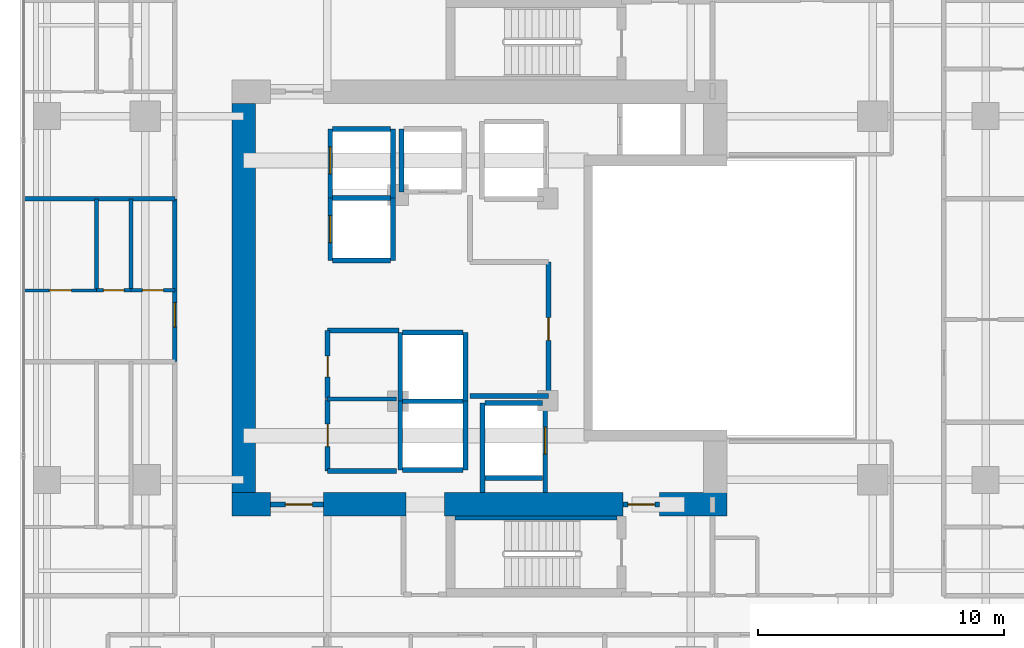
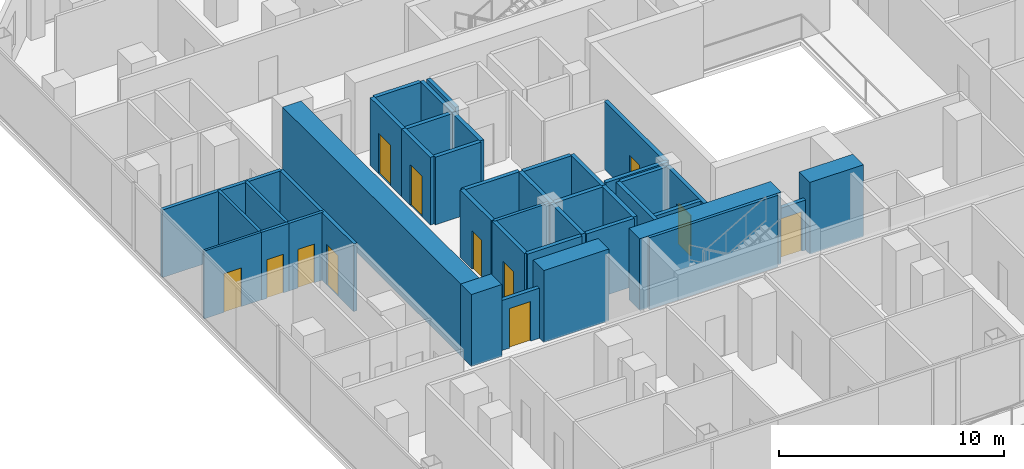
# One storey, part 22 of 29: 41 walls, 12 doors, 12 openings.
"""IFC4 building model written with IfcOpenShell, lengths in metres."""

import ifcopenshell
import ifcopenshell.guid

model = None  # the IFC model being written
_history = None  # IfcOwnerHistory: only IFC2X3 demands one
_inside = {}  # id of a spatial element -> (the spatial element, [elements in it])
_under = {}  # id of a project, library or spatial element -> (it, [spatial elements below it])
_declared = {}  # id of a project -> (the project, [libraries it declares])
_typed = {}  # id of a type object -> (the type object, [elements of that type])
_made_of = {}  # id of a material, layer set ... -> (it, [elements and type objects made of it])


def new_model(schema):
    """Start an empty IFC model of exactly this schema.

    Asked for "IFC4X3", IfcOpenShell would pick the latest addendum, in which some entities
    have other attributes; the version numbers below select the first issue.
    IFC2X3 requires an IfcOwnerHistory on every rooted entity: one is made here for all.
    """
    global model, _history
    if schema == "IFC4X3":
        model = ifcopenshell.file(schema_version=(4, 3, 0, 0))
    else:
        model = ifcopenshell.file(schema=schema)
    _inside.clear()
    _under.clear()
    _declared.clear()
    _typed.clear()
    _made_of.clear()
    _history = None
    if model.schema == "IFC2X3":
        org = make("IfcOrganization", Name="unknown")
        user = make(
            "IfcPersonAndOrganization",
            ThePerson=make("IfcPerson", FamilyName="unknown"),
            TheOrganization=org,
        )
        app = make(
            "IfcApplication",
            ApplicationDeveloper=org,
            Version="unknown",
            ApplicationFullName="unknown",
            ApplicationIdentifier="unknown",
        )
        _history = make(
            "IfcOwnerHistory",
            OwningUser=user,
            OwningApplication=app,
            ChangeAction="ADDED",
            CreationDate=0,
        )
    return model


def make(cls, **values):
    """One entity of the class cls with the attributes given. An attribute that is None is left unset."""
    return model.create_entity(
        cls, **{name: value for name, value in values.items() if value is not None}
    )


def rooted(cls, **values):
    """An entity with a GlobalId (a new one), such as an element, a storey or a relation."""
    return make(cls, GlobalId=ifcopenshell.guid.new(), OwnerHistory=_history, **values)


def si_unit(unit_type, name, prefix=None):
    """IfcSIUnit, for example si_unit("LENGTHUNIT", "METRE", prefix="MILLI")."""
    return make("IfcSIUnit", UnitType=unit_type, Prefix=prefix, Name=name)


def assignment(units):
    """IfcUnitAssignment: the units of a project."""
    return None if units is None else make("IfcUnitAssignment", Units=units)


def point(xyz):
    """IfcCartesianPoint."""
    return None if xyz is None else make("IfcCartesianPoint", Coordinates=xyz)


def direction(xyz):
    """IfcDirection."""
    return None if xyz is None else make("IfcDirection", DirectionRatios=xyz)


def frame(location, z_axis=None, x_axis=None):
    """IfcAxis2Placement3D, a coordinate frame: its origin and axes. An axis left out is left unset."""
    return make(
        "IfcAxis2Placement3D",
        Location=point(location),
        Axis=direction(z_axis),
        RefDirection=direction(x_axis),
    )


def frame_2d(location, x_axis=None):
    """IfcAxis2Placement2D, a coordinate frame in the plane: its origin and x axis."""
    return make(
        "IfcAxis2Placement2D", Location=point(location), RefDirection=direction(x_axis)
    )


def origin():
    """The frame at (0, 0, 0) with its axes left unset."""
    return frame((0.0, 0.0, 0.0))


def place(relative_to, where):
    """IfcLocalPlacement: puts the frame where relative to a parent placement (None: the world)."""
    return make(
        "IfcLocalPlacement", PlacementRelTo=relative_to, RelativePlacement=where
    )


def context(
    kind, dimensions, precision=None, world=None, true_north=None, identifier=None
):
    """IfcGeometricRepresentationContext, for example the 3D "Model" context."""
    return make(
        "IfcGeometricRepresentationContext",
        ContextIdentifier=identifier,
        ContextType=kind,
        CoordinateSpaceDimension=dimensions,
        Precision=precision,
        WorldCoordinateSystem=world,
        TrueNorth=true_north,
    )


def subcontext(parent, identifier, kind, view, scale=None):
    """IfcGeometricRepresentationSubContext, for example "Body" below "Model"."""
    return make(
        "IfcGeometricRepresentationSubContext",
        ContextIdentifier=identifier,
        ContextType=kind,
        ParentContext=parent,
        TargetScale=scale,
        TargetView=view,
    )


def project(units=None, contexts=None):
    """IfcProject with its units and contexts."""
    return rooted(
        "IfcProject",
        Name="project",
        RepresentationContexts=contexts,
        UnitsInContext=assignment(units),
    )


def spatial(cls, under=None, at=None, **own):
    """A site, building, storey or space (cls), placed at a placement, below another one or the project."""
    s = rooted(cls, ObjectPlacement=at, **own)
    if under is not None:
        _under.setdefault(under.id(), (under, []))[1].append(s)
    return s


def profile(cls, at=None, kind="AREA", **sizes):
    """A parametric profile (cls). Its sizes go by their IFC names, for example OverallWidth=200.0."""
    return make(cls, ProfileType=kind, Position=at, **sizes)


def rectangle(**sizes):
    """IfcRectangleProfileDef."""
    return profile("IfcRectangleProfileDef", **sizes)


def extrude(swept, where, along, depth):
    """IfcExtrudedAreaSolid: the profile swept, set in the frame where, extruded along a direction by depth."""
    return make(
        "IfcExtrudedAreaSolid",
        SweptArea=swept,
        Position=where,
        ExtrudedDirection=direction(along),
        Depth=depth,
    )


def shape(context_of_items, identifier, shape_type, items):
    """IfcShapeRepresentation: the items that make up one representation, for example the "Body"."""
    return make(
        "IfcShapeRepresentation",
        ContextOfItems=context_of_items,
        RepresentationIdentifier=identifier,
        RepresentationType=shape_type,
        Items=items,
    )


def material(Name=None, Category=None):
    """IfcMaterial."""
    return make("IfcMaterial", Name=Name, Category=Category)


def layer(
    of_material, thickness, ventilated=None, Name=None, Category=None, Priority=None
):
    """IfcMaterialLayer: one layer of a wall or slab, of a material (None: an air gap)."""
    return make(
        "IfcMaterialLayer",
        Material=of_material,
        LayerThickness=thickness,
        IsVentilated=ventilated,
        Name=Name,
        Category=Category,
        Priority=Priority,
    )


def layer_set(layers, Name=None):
    """IfcMaterialLayerSet."""
    return make("IfcMaterialLayerSet", MaterialLayers=layers, LayerSetName=Name)


def made_of(thing, what):
    """Note that an element or type object is made of a material, layer set ...; save() writes the relation."""
    if what is not None:
        _made_of.setdefault(what.id(), (what, []))[1].append(thing)
    return thing


def type_object(cls, material=None, **own):
    """A type object (cls), such as IfcWallType, which elements share."""
    return made_of(rooted(cls, **own), material)


def element(
    cls,
    number,
    at=None,
    inside=None,
    cuts=None,
    type_object=None,
    material=None,
    context=None,
    identifier="Body",
    shape_type=None,
    held_by="IfcProductDefinitionShape",
    body=None,
    shapes=None,
    **own,
):
    """One element of the class cls, such as IfcWall. Its Tag is "e" and its number.

    at: its placement. inside: the storey or other place that contains it. cuts: it is an
    opening in that element (IfcRelVoidsElement). A single representation is given by context,
    identifier, shape_type and body (its items); several are given by shapes. held_by: the class
    of the entity that holds the representations. save() writes the other relations.
    """
    e = rooted(cls, Tag="e%d" % number, ObjectPlacement=at, **own)
    if body is not None:
        shapes = [shape(context, identifier, shape_type, body)]
    if shapes is not None:
        e.Representation = make(held_by, Representations=shapes)
    if inside is not None:
        _inside.setdefault(inside.id(), (inside, []))[1].append(e)
    if cuts is not None:
        rooted(
            "IfcRelVoidsElement", RelatingBuildingElement=cuts, RelatedOpeningElement=e
        )
    if type_object is not None:
        _typed.setdefault(type_object.id(), (type_object, []))[1].append(e)
    return made_of(e, material)


def fill(opening, filler):
    """IfcRelFillsElement: the door or window that sits in an opening."""
    return rooted(
        "IfcRelFillsElement",
        RelatingOpeningElement=opening,
        RelatedBuildingElement=filler,
    )


def aggregate(whole, parts):
    """IfcRelAggregates: a whole, such as a stair, and the parts it consists of."""
    return rooted("IfcRelAggregates", RelatingObject=whole, RelatedObjects=parts)


def save(model, path):
    """Write the relations noted so far, then the file.

    IfcRelAggregates (storeys below a building ...), IfcRelContainedInSpatialStructure (elements
    in a storey), IfcRelDefinesByType, IfcRelAssociatesMaterial and IfcRelDeclares: one each for
    every whole, place, type object, material and project.
    """
    for whole, parts in _under.values():
        aggregate(whole, parts)
    for where, things in _inside.values():
        rooted(
            "IfcRelContainedInSpatialStructure",
            RelatedElements=things,
            RelatingStructure=where,
        )
    for kind, things in _typed.values():
        rooted("IfcRelDefinesByType", RelatedObjects=things, RelatingType=kind)
    for what, things in _made_of.values():
        rooted("IfcRelAssociatesMaterial", RelatedObjects=things, RelatingMaterial=what)
    for by, libraries in _declared.values():
        rooted("IfcRelDeclares", RelatingContext=by, RelatedDefinitions=libraries)
    model.write(path)


model = new_model("IFC4")

# Units and contexts
model_context = context("Model", 3, precision=1e-05, world=origin(), true_north=direction((0.0, 1.0)))
body_context = subcontext(model_context, "Body", "Model", "MODEL_VIEW")
ifc_project = project(units=[si_unit("LENGTHUNIT", "METRE"), si_unit("AREAUNIT", "SQUARE_METRE"), si_unit("VOLUMEUNIT", "CUBIC_METRE"), si_unit("PLANEANGLEUNIT", "RADIAN"), si_unit("MASSUNIT", "GRAM", prefix="KILO")], contexts=[model_context])

# Site, building, storey
site_placement = place(None, origin())
site = spatial("IfcSite", under=ifc_project, at=site_placement, CompositionType="ELEMENT")
building_placement = place(site_placement, origin())
building = spatial("IfcBuilding", under=site, at=building_placement, Name="Khorvyn Point Tower", CompositionType="ELEMENT")
storey_placement = place(building_placement, frame((0.0, 0.0, 140.699951171875)))
storey = spatial("IfcBuildingStorey", under=building, at=storey_placement, Name="L35", CompositionType="ELEMENT", Elevation=140.699951171875)

# Wall, opening, door
ifc_material_1 = material(Name="Double acoustic gypsum on twin steel stud", Category="steel")
ifc_layer_1 = layer(ifc_material_1, 0.179931640625)
ifc_layer_set_1 = layer_set([ifc_layer_1], Name="Acoustic Double-Stud Apartment Demising Wall 180")
wall_type_1 = type_object("IfcWallType", Name="Acoustic Double-Stud Apartment Demising Wall 180", PredefinedType="PARTITIONING", material=ifc_layer_set_1)
wall_1_placement = place(storey_placement, frame((-13.60009765625, -2.5859375, 0.0), z_axis=(0.0, 0.0, 1.0), x_axis=(0.0, 1.0, 0.0)))
wall_1 = element("IfcWall", 1, at=wall_1_placement, inside=storey, type_object=wall_type_1, Name="Wall", PredefinedType="PARTITIONING", context=body_context, shape_type="SweptSolid", body=[
    extrude(rectangle(XDim=6.6259765625, YDim=0.179931640625, at=frame_2d((3.31298828125, 0.0))), origin(), (0.0, 0.0, 1.0), 3.679931640625),
])
opening_1_placement = place(wall_1_placement, frame((1.398193359375, 0.0, 0.0)))
opening_1 = element("IfcOpeningElement", 2, at=opening_1_placement, cuts=wall_1, Name="Opening ID-AP60", PredefinedType="OPENING", context=body_context, shape_type="SweptSolid", body=[
    extrude(rectangle(XDim=1.0, YDim=2.199951171875, at=frame_2d((0.5, 1.10009765625))), frame((0.0, 0.099853515625, 0.0), z_axis=(0.0, -1.0, 0.0), x_axis=(1.0, 0.0, 0.0)), (0.0, 0.0, 1.0), 0.199951171875),
])
ifc_material_2 = material(Name="Engineered hardwood fire-rated leaf", Category="wood")
door_type_1 = type_object("IfcDoorType", Name="Acoustic Solid-Core Timber Apartment Entrance Door 1000x2200", OperationType="NOTDEFINED", PredefinedType="DOOR", material=ifc_material_2)
door_1_placement = place(opening_1_placement, origin())
door_1 = element("IfcDoor", 3, at=door_1_placement, inside=storey, type_object=door_type_1, Name="Door", OperationType="SINGLE_SWING_RIGHT", OverallHeight=2.199951171875, OverallWidth=1.0, PredefinedType="DOOR", context=body_context, shape_type="SweptSolid", body=[
    extrude(rectangle(XDim=1.0, YDim=2.199951171875, at=frame_2d((0.5, 1.10009765625))), frame((0.0, 0.02490234375, 0.0), z_axis=(0.0, -1.0, 0.0), x_axis=(1.0, 0.0, 0.0)), (0.0, 0.0, 1.0), 0.050048828125),
])
fill(opening_1, door_1)

# Wall
wall_2_placement = place(storey_placement, frame((-19.72998046875, 4.0400390625, 0.0), z_axis=(0.0, 0.0, 1.0), x_axis=(1.0, 0.0, 0.0)))
element("IfcWall", 4, at=wall_2_placement, inside=storey, type_object=wall_type_1, Name="Wall", PredefinedType="PARTITIONING", context=body_context, shape_type="SweptSolid", body=[
    extrude(rectangle(XDim=6.1298828125, YDim=0.179931640625, at=frame_2d((3.06494140625, 0.0))), origin(), (0.0, 0.0, 1.0), 3.679931640625),
])

# Wall, opening, door
ifc_material_3 = material(Name="Concrete C40/50", Category="concrete")
ifc_layer_2 = layer(ifc_material_3, 0.199951171875)
ifc_layer_set_2 = layer_set([ifc_layer_2], Name="Concrete C40/50 Fire-Lobby Compartment Wall 200")
wall_type_2 = type_object("IfcWallType", Name="Concrete C40/50 Fire-Lobby Compartment Wall 200", PredefinedType="SOLIDWALL", material=ifc_layer_set_2)
wall_3_placement = place(storey_placement, frame((4.64990234375, -8.39990234375, 0.0), z_axis=(0.0, 0.0, 1.0), x_axis=(1.0, 0.0, 0.0)))
wall_3 = element("IfcWall", 5, at=wall_3_placement, inside=storey, type_object=wall_type_2, Name="Wall", PredefinedType="SOLIDWALL", context=body_context, shape_type="SweptSolid", body=[
    extrude(rectangle(XDim=1.47021484375, YDim=0.199951171875, at=frame_2d((0.735107421875, 0.0))), origin(), (0.0, 0.0, 1.0), 2.719970703125),
])
opening_2_placement = place(wall_3_placement, frame((0.18505859375, 0.0, 0.0)))
opening_2 = element("IfcOpeningElement", 6, at=opening_2_placement, cuts=wall_3, Name="Opening ID-FL90", PredefinedType="OPENING", context=body_context, shape_type="SweptSolid", body=[
    extrude(rectangle(XDim=1.10009765625, YDim=2.14990234375, at=frame_2d((0.550048828125, 1.074951171875))), frame((0.0, 0.10986328125, 0.0), z_axis=(0.0, -1.0, 0.0), x_axis=(1.0, 0.0, 0.0)), (0.0, 0.0, 1.0), 0.219970703125),
])
ifc_material_4 = material(Name="Galvanised powder-coated steel", Category="steel")
door_type_2 = type_object("IfcDoorType", Name="Fire-Rated Steel Lobby and Stair Door 1100x2150", OperationType="NOTDEFINED", PredefinedType="DOOR", material=ifc_material_4)
door_2_placement = place(opening_2_placement, origin())
door_2 = element("IfcDoor", 7, at=door_2_placement, inside=storey, type_object=door_type_2, Name="Door", OperationType="SINGLE_SWING_RIGHT", OverallHeight=2.14990234375, OverallWidth=1.10009765625, PredefinedType="DOOR", context=body_context, shape_type="SweptSolid", body=[
    extrude(rectangle(XDim=1.10009765625, YDim=2.14990234375, at=frame_2d((0.550048828125, 1.074951171875))), frame((0.0, 0.02490234375, 0.0), z_axis=(0.0, -1.0, 0.0), x_axis=(1.0, 0.0, 0.0)), (0.0, 0.0, 1.0), 0.050048828125),
])
fill(opening_2, door_2)

wall_4_placement = place(storey_placement, frame((-9.699951171875, -8.39990234375, 0.0), z_axis=(0.0, 0.0, 1.0), x_axis=(1.0, 0.0, 0.0)))
wall_4 = element("IfcWall", 8, at=wall_4_placement, inside=storey, type_object=wall_type_2, Name="Wall", PredefinedType="SOLIDWALL", context=body_context, shape_type="SweptSolid", body=[
    extrude(rectangle(XDim=2.14990234375, YDim=0.199951171875, at=frame_2d((1.074951171875, 0.0))), origin(), (0.0, 0.0, 1.0), 2.719970703125),
])
opening_3_placement = place(wall_4_placement, frame((0.597900390625, 0.0, 0.0)))
opening_3 = element("IfcOpeningElement", 9, at=opening_3_placement, cuts=wall_4, Name="Opening ID-FL90", PredefinedType="OPENING", context=body_context, shape_type="SweptSolid", body=[
    extrude(rectangle(XDim=1.10009765625, YDim=2.14990234375, at=frame_2d((0.550048828125, 1.074951171875))), frame((0.0, 0.10986328125, 0.0), z_axis=(0.0, -1.0, 0.0), x_axis=(1.0, 0.0, 0.0)), (0.0, 0.0, 1.0), 0.219970703125),
])
door_3_placement = place(opening_3_placement, origin())
door_3 = element("IfcDoor", 10, at=door_3_placement, inside=storey, type_object=door_type_2, Name="Door", OperationType="SINGLE_SWING_RIGHT", OverallHeight=2.14990234375, OverallWidth=1.10009765625, PredefinedType="DOOR", context=body_context, shape_type="SweptSolid", body=[
    extrude(rectangle(XDim=1.10009765625, YDim=2.14990234375, at=frame_2d((0.550048828125, 1.074951171875))), frame((0.0, 0.02490234375, 0.0), z_axis=(0.0, -1.0, 0.0), x_axis=(1.0, 0.0, 0.0)), (0.0, 0.0, 1.0), 0.050048828125),
])
fill(opening_3, door_3)

wall_5_placement = place(storey_placement, frame((1.610107421875, -3.97998046875, 0.0), z_axis=(0.0, 0.0, 1.0), x_axis=(0.0, 1.0, 0.0)))
wall_5 = element("IfcWall", 11, at=wall_5_placement, inside=storey, type_object=wall_type_2, Name="Wall", PredefinedType="SOLIDWALL", context=body_context, shape_type="SweptSolid", body=[
    extrude(rectangle(XDim=5.43994140625, YDim=0.199951171875, at=frame_2d((2.719970703125, 0.0))), origin(), (0.0, 0.0, 1.0), 3.679931640625),
])
opening_4_placement = place(wall_5_placement, frame((2.260009765625, 0.0, 0.0)))
opening_4 = element("IfcOpeningElement", 12, at=opening_4_placement, cuts=wall_5, Name="Opening ID-RS60", PredefinedType="OPENING", context=body_context, shape_type="SweptSolid", body=[
    extrude(rectangle(XDim=0.919921875, YDim=2.10009765625, at=frame_2d((0.4599609375, 1.050048828125))), frame((0.0, 0.10986328125, 0.0), z_axis=(0.0, -1.0, 0.0), x_axis=(1.0, 0.0, 0.0)), (0.0, 0.0, 1.0), 0.219970703125),
])
door_type_3 = type_object("IfcDoorType", Name="Fire-Rated Riser and Store Steel Door 920x2100", OperationType="NOTDEFINED", PredefinedType="DOOR", material=ifc_material_4)
door_4_placement = place(opening_4_placement, origin())
door_4 = element("IfcDoor", 13, at=door_4_placement, inside=storey, type_object=door_type_3, Name="Door", OperationType="SINGLE_SWING_LEFT", OverallHeight=2.10009765625, OverallWidth=0.919921875, PredefinedType="DOOR", context=body_context, shape_type="SweptSolid", body=[
    extrude(rectangle(XDim=0.919921875, YDim=2.10009765625, at=frame_2d((0.4599609375, 1.050048828125))), frame((0.0, 0.02490234375, 0.0), z_axis=(0.0, -1.0, 0.0), x_axis=(1.0, 0.0, 0.0)), (0.0, 0.0, 1.0), 0.050048828125),
])
fill(opening_4, door_4)

wall_6_placement = place(storey_placement, frame((-7.3798828125, -7.0400390625, 0.0), z_axis=(0.0, 0.0, 1.0), x_axis=(0.0, 1.0, 0.0)))
wall_6 = element("IfcWall", 14, at=wall_6_placement, inside=storey, type_object=wall_type_2, Name="Wall", PredefinedType="SOLIDWALL", context=body_context, shape_type="SweptSolid", body=[
    extrude(rectangle(XDim=2.900146484375, YDim=0.199951171875, at=frame_2d((1.4501953125, 0.0))), origin(), (0.0, 0.0, 1.0), 3.679931640625),
])
opening_5_placement = place(wall_6_placement, frame((0.989990234375, 0.0, 0.0)))
opening_5 = element("IfcOpeningElement", 15, at=opening_5_placement, cuts=wall_6, Name="Opening ID-RS60", PredefinedType="OPENING", context=body_context, shape_type="SweptSolid", body=[
    extrude(rectangle(XDim=0.919921875, YDim=2.10009765625, at=frame_2d((0.4599609375, 1.050048828125))), frame((0.0, 0.10986328125, 0.0), z_axis=(0.0, -1.0, 0.0), x_axis=(1.0, 0.0, 0.0)), (0.0, 0.0, 1.0), 0.219970703125),
])
door_5_placement = place(opening_5_placement, origin())
door_5 = element("IfcDoor", 16, at=door_5_placement, inside=storey, type_object=door_type_3, Name="Door", OperationType="SINGLE_SWING_RIGHT", OverallHeight=2.10009765625, OverallWidth=0.919921875, PredefinedType="DOOR", context=body_context, shape_type="SweptSolid", body=[
    extrude(rectangle(XDim=0.919921875, YDim=2.10009765625, at=frame_2d((0.4599609375, 1.050048828125))), frame((0.0, 0.02490234375, 0.0), z_axis=(0.0, -1.0, 0.0), x_axis=(1.0, 0.0, 0.0)), (0.0, 0.0, 1.0), 0.050048828125),
])
fill(opening_5, door_5)

wall_7_placement = place(storey_placement, frame((-7.3798828125, -4.080078125, 0.0), z_axis=(0.0, 0.0, 1.0), x_axis=(0.0, 1.0, 0.0)))
wall_7 = element("IfcWall", 17, at=wall_7_placement, inside=storey, type_object=wall_type_2, Name="Wall", PredefinedType="SOLIDWALL", context=body_context, shape_type="SweptSolid", body=[
    extrude(rectangle(XDim=2.760009765625, YDim=0.199951171875, at=frame_2d((1.3798828125, 0.0))), origin(), (0.0, 0.0, 1.0), 3.679931640625),
])
opening_6_placement = place(wall_7_placement, frame((0.86669921875, 0.0, 0.0)))
opening_6 = element("IfcOpeningElement", 18, at=opening_6_placement, cuts=wall_7, Name="Opening ID-WC85", PredefinedType="OPENING", context=body_context, shape_type="SweptSolid", body=[
    extrude(rectangle(XDim=0.85009765625, YDim=2.10009765625, at=frame_2d((0.425048828125, 1.050048828125))), frame((0.0, 0.10986328125, 0.0), z_axis=(0.0, -1.0, 0.0), x_axis=(1.0, 0.0, 0.0)), (0.0, 0.0, 1.0), 0.219970703125),
])
ifc_material_5 = material(Name="High-pressure laminate on moisture-resistant core", Category="wood")
door_type_4 = type_object("IfcDoorType", Name="Moisture-Resistant Accessible Washroom Door 850x2100", OperationType="NOTDEFINED", PredefinedType="DOOR", material=ifc_material_5)
door_6_placement = place(opening_6_placement, origin())
door_6 = element("IfcDoor", 19, at=door_6_placement, inside=storey, type_object=door_type_4, Name="Door", OperationType="SINGLE_SWING_LEFT", OverallHeight=2.10009765625, OverallWidth=0.85009765625, PredefinedType="DOOR", context=body_context, shape_type="SweptSolid", body=[
    extrude(rectangle(XDim=0.85009765625, YDim=2.10009765625, at=frame_2d((0.425048828125, 1.050048828125))), frame((0.0, 0.02490234375, 0.0), z_axis=(0.0, -1.0, 0.0), x_axis=(1.0, 0.0, 0.0)), (0.0, 0.0, 1.0), 0.050048828125),
])
fill(opening_6, door_6)

# Walls
wall_8_placement = place(storey_placement, frame((-7.3798828125, -1.320068359375, 0.0), z_axis=(0.0, 0.0, 1.0), x_axis=(1.0, 0.0, 0.0)))
element("IfcWall", 20, at=wall_8_placement, inside=storey, type_object=wall_type_2, Name="Wall", PredefinedType="SOLIDWALL", context=body_context, shape_type="SweptSolid", body=[
    extrude(rectangle(XDim=2.909912109375, YDim=0.199951171875, at=frame_2d((1.455078125, 0.0))), origin(), (0.0, 0.0, 1.0), 3.679931640625),
])
wall_9_placement = place(storey_placement, frame((-1.580078125, -3.97998046875, 0.0), z_axis=(0.0, 0.0, 1.0), x_axis=(1.0, 0.0, 0.0)))
element("IfcWall", 21, at=wall_9_placement, inside=storey, type_object=wall_type_2, Name="Wall", PredefinedType="SOLIDWALL", context=body_context, shape_type="SweptSolid", body=[
    extrude(rectangle(XDim=3.190185546875, YDim=0.199951171875, at=frame_2d((1.59521484375, 0.0))), origin(), (0.0, 0.0, 1.0), 3.679931640625),
])
wall_10_placement = place(storey_placement, frame((-7.3798828125, -7.0400390625, 0.0), z_axis=(0.0, 0.0, 1.0), x_axis=(1.0, 0.0, 0.0)))
element("IfcWall", 22, at=wall_10_placement, inside=storey, type_object=wall_type_2, Name="Wall", PredefinedType="SOLIDWALL", context=body_context, shape_type="SweptSolid", body=[
    extrude(rectangle(XDim=2.7998046875, YDim=0.199951171875, at=frame_2d((1.39990234375, 0.0))), origin(), (0.0, 0.0, 1.0), 3.679931640625),
])
ifc_layer_3 = layer(ifc_material_3, 0.25)
ifc_layer_set_3 = layer_set([ifc_layer_3], Name="Concrete C40/50 Stair Inner Cheek Structural Wall 250")
wall_type_3 = type_object("IfcWallType", Name="Concrete C40/50 Stair Inner Cheek Structural Wall 250", PredefinedType="SHEAR", material=ifc_layer_set_3)
wall_11_placement = place(storey_placement, frame((-2.199951171875, -8.949951171875, 0.0), z_axis=(0.0, 0.0, 1.0), x_axis=(1.0, 0.0, 0.0)))
element("IfcWall", 23, at=wall_11_placement, inside=storey, type_object=wall_type_3, Name="Wall", PredefinedType="SHEAR", context=body_context, shape_type="SweptSolid", body=[
    extrude(rectangle(XDim=6.599853515625, YDim=0.14990234375, at=frame_2d((3.2998046875, 0.0))), origin(), (0.0, 0.0, 1.0), 3.900146484375),
])

# Wall, opening, door
ifc_layer_4 = layer(ifc_material_3, 0.199951171875)
ifc_layer_set_4 = layer_set([ifc_layer_4], Name="Concrete C40/50 Structural Hoistway and Stair Shaft Wall 200")
wall_type_4 = type_object("IfcWallType", Name="Concrete C40/50 Structural Hoistway and Stair Shaft Wall 200", PredefinedType="SHEAR", material=ifc_layer_set_4)
wall_12_placement = place(storey_placement, frame((-7.27490234375, 1.52490234375, 0.0), z_axis=(0.0, 0.0, 1.0), x_axis=(0.0, 1.0, 0.0)))
wall_12 = element("IfcWall", 24, at=wall_12_placement, inside=storey, type_object=wall_type_4, Name="Wall", PredefinedType="SHEAR", context=body_context, shape_type="SweptSolid", body=[
    extrude(rectangle(XDim=2.550048828125, YDim=0.199951171875, at=frame_2d((1.27490234375, 0.0))), origin(), (0.0, 0.0, 1.0), 3.679931640625),
])
opening_7_placement = place(wall_12_placement, frame((0.72509765625, 0.0, 0.0)))
opening_7 = element("IfcOpeningElement", 25, at=opening_7_placement, cuts=wall_12, Name="Opening LD-1122", PredefinedType="OPENING", context=body_context, shape_type="SweptSolid", body=[
    extrude(rectangle(XDim=1.10009765625, YDim=2.199951171875, at=frame_2d((0.550048828125, 1.10009765625))), frame((0.0, 0.10986328125, 0.0), z_axis=(0.0, -1.0, 0.0), x_axis=(1.0, 0.0, 0.0)), (0.0, 0.0, 1.0), 0.219970703125),
])
ifc_material_6 = material(Name="Stainless steel 1.4301", Category="steel")
door_type_5 = type_object("IfcDoorType", Name="Stainless Steel Automatic Sliding Lift Landing Door 1100x2200", OperationType="SLIDING_TO_LEFT", PredefinedType="DOOR", material=ifc_material_6)
door_7_placement = place(opening_7_placement, origin())
door_7 = element("IfcDoor", 26, at=door_7_placement, inside=storey, type_object=door_type_5, Name="L35 RM-01 Sliding Lift Landing Door", OperationType="SLIDING_TO_LEFT", OverallHeight=2.199951171875, OverallWidth=1.10009765625, PredefinedType="DOOR", context=body_context, shape_type="SweptSolid", body=[
    extrude(rectangle(XDim=1.10009765625, YDim=2.199951171875, at=frame_2d((0.550048828125, 1.10009765625))), frame((0.0, 0.02490234375, 0.0), z_axis=(0.0, -1.0, 0.0), x_axis=(1.0, 0.0, 0.0)), (0.0, 0.0, 1.0), 0.050048828125),
])
fill(opening_7, door_7)

# Walls
wall_13_placement = place(storey_placement, frame((-4.72509765625, 1.52490234375, 0.0), z_axis=(0.0, 0.0, 1.0), x_axis=(0.0, 1.0, 0.0)))
element("IfcWall", 27, at=wall_13_placement, inside=storey, type_object=wall_type_4, Name="Wall", PredefinedType="SHEAR", context=body_context, shape_type="SweptSolid", body=[
    extrude(rectangle(XDim=2.550048828125, YDim=0.199951171875, at=frame_2d((1.27490234375, 0.0))), origin(), (0.0, 0.0, 1.0), 3.679931640625),
])
for number, where, z_axis, x_axis, name in (
    (28, (-7.175048828125, 1.52490234375, 0.0), (0.0, 0.0, 1.0), (1.0, 0.0, 0.0), "Wall"),
    (29, (-7.175048828125, 4.074951171875, 0.0), (0.0, 0.0, 1.0), (1.0, 0.0, 0.0), "Wall"),
):
    element("IfcWall", number, at=place(storey_placement, frame(where, z_axis=z_axis, x_axis=x_axis)), inside=storey, type_object=wall_type_4, Name=name, PredefinedType="SHEAR", context=body_context, shape_type="SweptSolid", body=[
        extrude(rectangle(XDim=2.35009765625, YDim=0.199951171875, at=frame_2d((1.175048828125, 0.0))), origin(), (0.0, 0.0, 1.0), 3.679931640625),
    ])

# Wall, opening, door
wall_14_placement = place(storey_placement, frame((-7.27490234375, 4.074951171875, 0.0), z_axis=(0.0, 0.0, 1.0), x_axis=(0.0, 1.0, 0.0)))
wall_14 = element("IfcWall", 30, at=wall_14_placement, inside=storey, type_object=wall_type_4, Name="Wall", PredefinedType="SHEAR", context=body_context, shape_type="SweptSolid", body=[
    extrude(rectangle(XDim=2.800048828125, YDim=0.199951171875, at=frame_2d((1.39990234375, 0.0))), origin(), (0.0, 0.0, 1.0), 3.679931640625),
])
opening_8_placement = place(wall_14_placement, frame((0.97509765625, 0.0, 0.0)))
opening_8 = element("IfcOpeningElement", 31, at=opening_8_placement, cuts=wall_14, Name="Opening LD-1122", PredefinedType="OPENING", context=body_context, shape_type="SweptSolid", body=[
    extrude(rectangle(XDim=1.10009765625, YDim=2.199951171875, at=frame_2d((0.550048828125, 1.10009765625))), frame((0.0, 0.10986328125, 0.0), z_axis=(0.0, -1.0, 0.0), x_axis=(1.0, 0.0, 0.0)), (0.0, 0.0, 1.0), 0.219970703125),
])
door_8_placement = place(opening_8_placement, origin())
door_8 = element("IfcDoor", 32, at=door_8_placement, inside=storey, type_object=door_type_5, Name="L35 RM-02 Sliding Lift Landing Door", OperationType="SLIDING_TO_LEFT", OverallHeight=2.199951171875, OverallWidth=1.10009765625, PredefinedType="DOOR", context=body_context, shape_type="SweptSolid", body=[
    extrude(rectangle(XDim=1.10009765625, YDim=2.199951171875, at=frame_2d((0.550048828125, 1.10009765625))), frame((0.0, 0.02490234375, 0.0), z_axis=(0.0, -1.0, 0.0), x_axis=(1.0, 0.0, 0.0)), (0.0, 0.0, 1.0), 0.050048828125),
])
fill(opening_8, door_8)

# Walls
wall_15_placement = place(storey_placement, frame((-4.72509765625, 4.074951171875, 0.0), z_axis=(0.0, 0.0, 1.0), x_axis=(0.0, 1.0, 0.0)))
element("IfcWall", 33, at=wall_15_placement, inside=storey, type_object=wall_type_4, Name="Wall", PredefinedType="SHEAR", context=body_context, shape_type="SweptSolid", body=[
    extrude(rectangle(XDim=2.800048828125, YDim=0.199951171875, at=frame_2d((1.39990234375, 0.0))), origin(), (0.0, 0.0, 1.0), 3.679931640625),
])
wall_16_placement = place(storey_placement, frame((-7.175048828125, 6.875, 0.0), z_axis=(0.0, 0.0, 1.0), x_axis=(1.0, 0.0, 0.0)))
element("IfcWall", 34, at=wall_16_placement, inside=storey, type_object=wall_type_4, Name="Wall", PredefinedType="SHEAR", context=body_context, shape_type="SweptSolid", body=[
    extrude(rectangle(XDim=2.35009765625, YDim=0.199951171875, at=frame_2d((1.175048828125, 0.0))), origin(), (0.0, 0.0, 1.0), 3.679931640625),
])
wall_17_placement = place(storey_placement, frame((-4.375, 4.324951171875, 0.0), z_axis=(0.0, 0.0, 1.0), x_axis=(0.0, 1.0, 0.0)))
element("IfcWall", 35, at=wall_17_placement, inside=storey, type_object=wall_type_4, Name="Wall", PredefinedType="SHEAR", context=body_context, shape_type="SweptSolid", body=[
    extrude(rectangle(XDim=2.550048828125, YDim=0.199951171875, at=frame_2d((1.27490234375, 0.0))), origin(), (0.0, 0.0, 1.0), 3.679931640625),
])
for number, where, z_axis, x_axis, name in (
    (36, (-4.425048828125, -7.0, 0.0), (0.0, 0.0, 1.0), (0.0, 1.0, 0.0), "Wall"),
    (37, (-1.77490234375, -7.0, 0.0), (0.0, 0.0, 1.0), (0.0, 1.0, 0.0), "Wall"),
):
    element("IfcWall", number, at=place(storey_placement, frame(where, z_axis=z_axis, x_axis=x_axis)), inside=storey, type_object=wall_type_4, Name=name, PredefinedType="SHEAR", context=body_context, shape_type="SweptSolid", body=[
        extrude(rectangle(XDim=2.800048828125, YDim=0.199951171875, at=frame_2d((1.39990234375, 0.0))), origin(), (0.0, 0.0, 1.0), 3.679931640625),
    ])
for number, where, z_axis, x_axis, name in (
    (38, (-4.324951171875, -7.0, 0.0), (0.0, 0.0, 1.0), (1.0, 0.0, 0.0), "Wall"),
    (39, (-4.324951171875, -4.199951171875, 0.0), (0.0, 0.0, 1.0), (1.0, 0.0, 0.0), "Wall"),
):
    element("IfcWall", number, at=place(storey_placement, frame(where, z_axis=z_axis, x_axis=x_axis)), inside=storey, type_object=wall_type_4, Name=name, PredefinedType="SHEAR", context=body_context, shape_type="SweptSolid", body=[
        extrude(rectangle(XDim=2.449951171875, YDim=0.199951171875, at=frame_2d((1.22509765625, 0.0))), origin(), (0.0, 0.0, 1.0), 3.679931640625),
    ])
for number, where, z_axis, x_axis, name in (
    (40, (-4.425048828125, -4.199951171875, 0.0), (0.0, 0.0, 1.0), (0.0, 1.0, 0.0), "Wall"),
    (41, (-1.77490234375, -4.199951171875, 0.0), (0.0, 0.0, 1.0), (0.0, 1.0, 0.0), "Wall"),
):
    element("IfcWall", number, at=place(storey_placement, frame(where, z_axis=z_axis, x_axis=x_axis)), inside=storey, type_object=wall_type_4, Name=name, PredefinedType="SHEAR", context=body_context, shape_type="SweptSolid", body=[
        extrude(rectangle(XDim=2.800048828125, YDim=0.199951171875, at=frame_2d((1.39990234375, 0.0))), origin(), (0.0, 0.0, 1.0), 3.679931640625),
    ])
wall_18_placement = place(storey_placement, frame((-4.324951171875, -1.39990234375, 0.0), z_axis=(0.0, 0.0, 1.0), x_axis=(1.0, 0.0, 0.0)))
element("IfcWall", 42, at=wall_18_placement, inside=storey, type_object=wall_type_4, Name="Wall", PredefinedType="SHEAR", context=body_context, shape_type="SweptSolid", body=[
    extrude(rectangle(XDim=2.449951171875, YDim=0.199951171875, at=frame_2d((1.22509765625, 0.0))), origin(), (0.0, 0.0, 1.0), 3.679931640625),
])
wall_19_placement = place(storey_placement, frame((-1.074951171875, -7.925048828125, 0.0), z_axis=(0.0, 0.0, 1.0), x_axis=(0.0, 1.0, 0.0)))
element("IfcWall", 43, at=wall_19_placement, inside=storey, type_object=wall_type_4, Name="Wall", PredefinedType="SHEAR", context=body_context, shape_type="SweptSolid", body=[
    extrude(rectangle(XDim=3.650146484375, YDim=0.199951171875, at=frame_2d((1.8251953125, 0.0))), origin(), (0.0, 0.0, 1.0), 3.679931640625),
])

# Wall, opening, door
wall_20_placement = place(storey_placement, frame((1.47509765625, -7.925048828125, 0.0), z_axis=(0.0, 0.0, 1.0), x_axis=(0.0, 1.0, 0.0)))
wall_20 = element("IfcWall", 44, at=wall_20_placement, inside=storey, type_object=wall_type_4, Name="Wall", PredefinedType="SHEAR", context=body_context, shape_type="SweptSolid", body=[
    extrude(rectangle(XDim=3.650146484375, YDim=0.199951171875, at=frame_2d((1.8251953125, 0.0))), origin(), (0.0, 0.0, 1.0), 3.679931640625),
])
opening_9_placement = place(wall_20_placement, frame((1.574951171875, 0.0, 0.0)))
opening_9 = element("IfcOpeningElement", 45, at=opening_9_placement, cuts=wall_20, Name="Opening LD-1122", PredefinedType="OPENING", context=body_context, shape_type="SweptSolid", body=[
    extrude(rectangle(XDim=1.10009765625, YDim=2.199951171875, at=frame_2d((0.550048828125, 1.10009765625))), frame((0.0, 0.10986328125, 0.0), z_axis=(0.0, -1.0, 0.0), x_axis=(1.0, 0.0, 0.0)), (0.0, 0.0, 1.0), 0.219970703125),
])
door_9_placement = place(opening_9_placement, origin())
door_9 = element("IfcDoor", 46, at=door_9_placement, inside=storey, type_object=door_type_5, Name="L35 FF-01 Sliding Lift Landing Door", OperationType="SLIDING_TO_LEFT", OverallHeight=2.199951171875, OverallWidth=1.10009765625, PredefinedType="DOOR", context=body_context, shape_type="SweptSolid", body=[
    extrude(rectangle(XDim=1.10009765625, YDim=2.199951171875, at=frame_2d((0.550048828125, 1.10009765625))), frame((0.0, 0.02490234375, 0.0), z_axis=(0.0, -1.0, 0.0), x_axis=(1.0, 0.0, 0.0)), (0.0, 0.0, 1.0), 0.050048828125),
])
fill(opening_9, door_9)

# Walls
for number, where, z_axis, x_axis, name in (
    (47, (-0.97509765625, -7.324951171875, 0.0), (0.0, 0.0, 1.0), (1.0, 0.0, 0.0), "Wall"),
    (48, (-0.97509765625, -4.27490234375, 0.0), (0.0, 0.0, 1.0), (1.0, 0.0, 0.0), "Wall"),
):
    element("IfcWall", number, at=place(storey_placement, frame(where, z_axis=z_axis, x_axis=x_axis)), inside=storey, type_object=wall_type_4, Name=name, PredefinedType="SHEAR", context=body_context, shape_type="SweptSolid", body=[
        extrude(rectangle(XDim=2.35009765625, YDim=0.199951171875, at=frame_2d((1.175048828125, 0.0))), origin(), (0.0, 0.0, 1.0), 3.679931640625),
    ])
ifc_material_7 = material(Name="Concrete C50/60", Category="concrete")
ifc_layer_5 = layer(ifc_material_7, 0.949951171875)
ifc_layer_set_5 = layer_set([ifc_layer_5], Name="Concrete C50/60 Core Shear Wall 950")
wall_type_5 = type_object("IfcWallType", Name="Concrete C50/60 Core Shear Wall 950", PredefinedType="SHEAR", material=ifc_layer_set_5)
wall_21_placement = place(storey_placement, frame((-11.27490234375, -8.39990234375, 0.0), z_axis=(0.0, 0.0, 1.0), x_axis=(1.0, 0.0, 0.0)))
element("IfcWall", 49, at=wall_21_placement, inside=storey, type_object=wall_type_5, Name="Wall", PredefinedType="SHEAR", context=body_context, shape_type="SweptSolid", body=[
    extrude(rectangle(XDim=1.574951171875, YDim=0.949951171875, at=frame_2d((0.78759765625, 0.0))), origin(), (0.0, 0.0, 1.0), 3.900146484375),
])
wall_22_placement = place(storey_placement, frame((-7.550048828125, -8.39990234375, 0.0), z_axis=(0.0, 0.0, 1.0), x_axis=(1.0, 0.0, 0.0)))
element("IfcWall", 50, at=wall_22_placement, inside=storey, type_object=wall_type_5, Name="Wall", PredefinedType="SHEAR", context=body_context, shape_type="SweptSolid", body=[
    extrude(rectangle(XDim=3.35009765625, YDim=0.949951171875, at=frame_2d((1.675048828125, 0.0))), origin(), (0.0, 0.0, 1.0), 3.900146484375),
])
wall_23_placement = place(storey_placement, frame((-2.6201171875, -8.39990234375, 0.0), z_axis=(0.0, 0.0, 1.0), x_axis=(1.0, 0.0, 0.0)))
element("IfcWall", 51, at=wall_23_placement, inside=storey, type_object=wall_type_5, Name="Wall", PredefinedType="SHEAR", context=body_context, shape_type="SweptSolid", body=[
    extrude(rectangle(XDim=7.27001953125, YDim=0.949951171875, at=frame_2d((3.635009765625, 0.0))), origin(), (0.0, 0.0, 1.0), 3.900146484375),
])
wall_24_placement = place(storey_placement, frame((6.1201171875, -8.39990234375, 0.0), z_axis=(0.0, 0.0, 1.0), x_axis=(1.0, 0.0, 0.0)))
element("IfcWall", 52, at=wall_24_placement, inside=storey, type_object=wall_type_5, Name="Wall", PredefinedType="SHEAR", context=body_context, shape_type="SweptSolid", body=[
    extrude(rectangle(XDim=2.7548828125, YDim=0.949951171875, at=frame_2d((1.37744140625, 0.0))), origin(), (0.0, 0.0, 1.0), 3.900146484375),
])
wall_25_placement = place(storey_placement, frame((-10.800048828125, -7.925048828125, 0.0), z_axis=(0.0, 0.0, 1.0), x_axis=(0.0, 1.0, 0.0)))
element("IfcWall", 53, at=wall_25_placement, inside=storey, type_object=wall_type_5, Name="Wall", PredefinedType="SHEAR", context=body_context, shape_type="SweptSolid", body=[
    extrude(rectangle(XDim=15.85009765625, YDim=0.949951171875, at=frame_2d((7.925048828125, 0.0))), origin(), (0.0, 0.0, 1.0), 3.900146484375),
])

# Wall, opening, door
ifc_material_8 = material(Name="Gypsum plasterboard on steel stud", Category="steel")
ifc_layer_6 = layer(ifc_material_8, 0.1201171875)
ifc_layer_set_6 = layer_set([ifc_layer_6], Name="Gypsum Acoustic Stud Room Partition Wall 120")
wall_type_6 = type_object("IfcWallType", Name="Gypsum Acoustic Stud Room Partition Wall 120", PredefinedType="PARTITIONING", material=ifc_layer_set_6)
wall_26_placement = place(storey_placement, frame((-19.72998046875, 0.31396484375, 0.0), z_axis=(0.0, 0.0, 1.0), x_axis=(1.0, 0.0, 0.0)))
wall_26 = element("IfcWall", 54, at=wall_26_placement, inside=storey, type_object=wall_type_6, Name="Wall", PredefinedType="PARTITIONING", context=body_context, shape_type="SweptSolid", body=[
    extrude(rectangle(XDim=2.946044921875, YDim=0.1201171875, at=frame_2d((1.47314453125, 0.0))), origin(), (0.0, 0.0, 1.0), 3.679931640625),
])
opening_10_placement = place(wall_26_placement, frame((1.02294921875, 0.0, 0.0)))
opening_10 = element("IfcOpeningElement", 55, at=opening_10_placement, cuts=wall_26, Name="Opening ID-RM90", PredefinedType="OPENING", context=body_context, shape_type="SweptSolid", body=[
    extrude(rectangle(XDim=0.89990234375, YDim=2.10009765625, at=frame_2d((0.449951171875, 1.050048828125))), frame((0.0, 0.070068359375, 0.0), z_axis=(0.0, -1.0, 0.0), x_axis=(1.0, 0.0, 0.0)), (0.0, 0.0, 1.0), 0.14013671875),
])
ifc_material_9 = material(Name="Engineered oak veneer timber", Category="wood")
door_type_6 = type_object("IfcDoorType", Name="Flush Engineered Timber Room Door 900x2100", OperationType="NOTDEFINED", PredefinedType="DOOR", material=ifc_material_9)
door_10_placement = place(opening_10_placement, origin())
door_10 = element("IfcDoor", 56, at=door_10_placement, inside=storey, type_object=door_type_6, Name="Door", OperationType="SINGLE_SWING_LEFT", OverallHeight=2.10009765625, OverallWidth=0.89990234375, PredefinedType="DOOR", context=body_context, shape_type="SweptSolid", body=[
    extrude(rectangle(XDim=0.89990234375, YDim=2.10009765625, at=frame_2d((0.449951171875, 1.050048828125))), frame((0.0, 0.02490234375, 0.0), z_axis=(0.0, -1.0, 0.0), x_axis=(1.0, 0.0, 0.0)), (0.0, 0.0, 1.0), 0.050048828125),
])
fill(opening_10, door_10)

ifc_material_10 = material(Name="Moisture-resistant gypsum and cement board", Category="gypsum")
ifc_layer_7 = layer(ifc_material_10, 0.14990234375)
ifc_layer_set_7 = layer_set([ifc_layer_7], Name="Moisture-Resistant Wet-Room Partition Wall 150")
wall_type_7 = type_object("IfcWallType", Name="Moisture-Resistant Wet-Room Partition Wall 150", PredefinedType="PARTITIONING", material=ifc_layer_set_7)
wall_27_placement = place(storey_placement, frame((-16.783935546875, 0.31396484375, 0.0), z_axis=(0.0, 0.0, 1.0), x_axis=(1.0, 0.0, 0.0)))
wall_27 = element("IfcWall", 57, at=wall_27_placement, inside=storey, type_object=wall_type_7, Name="Wall", PredefinedType="PARTITIONING", context=body_context, shape_type="SweptSolid", body=[
    extrude(rectangle(XDim=1.39990234375, YDim=0.14990234375, at=frame_2d((0.699951171875, 0.0))), origin(), (0.0, 0.0, 1.0), 3.679931640625),
])
opening_11_placement = place(wall_27_placement, frame((0.27490234375, 0.0, 0.0)))
opening_11 = element("IfcOpeningElement", 58, at=opening_11_placement, cuts=wall_27, Name="Opening ID-WC85", PredefinedType="OPENING", context=body_context, shape_type="SweptSolid", body=[
    extrude(rectangle(XDim=0.85009765625, YDim=2.10009765625, at=frame_2d((0.425048828125, 1.050048828125))), frame((0.0, 0.0849609375, 0.0), z_axis=(0.0, -1.0, 0.0), x_axis=(1.0, 0.0, 0.0)), (0.0, 0.0, 1.0), 0.169921875),
])
door_11_placement = place(opening_11_placement, origin())
door_11 = element("IfcDoor", 59, at=door_11_placement, inside=storey, type_object=door_type_4, Name="Door", OperationType="SINGLE_SWING_LEFT", OverallHeight=2.10009765625, OverallWidth=0.85009765625, PredefinedType="DOOR", context=body_context, shape_type="SweptSolid", body=[
    extrude(rectangle(XDim=0.85009765625, YDim=2.10009765625, at=frame_2d((0.425048828125, 1.050048828125))), frame((0.0, 0.02490234375, 0.0), z_axis=(0.0, -1.0, 0.0), x_axis=(1.0, 0.0, 0.0)), (0.0, 0.0, 1.0), 0.050048828125),
])
fill(opening_11, door_11)

wall_28_placement = place(storey_placement, frame((-15.384033203125, 0.31396484375, 0.0), z_axis=(0.0, 0.0, 1.0), x_axis=(1.0, 0.0, 0.0)))
wall_28 = element("IfcWall", 60, at=wall_28_placement, inside=storey, type_object=wall_type_7, Name="Wall", PredefinedType="PARTITIONING", context=body_context, shape_type="SweptSolid", body=[
    extrude(rectangle(XDim=1.783935546875, YDim=0.14990234375, at=frame_2d((0.89208984375, 0.0))), origin(), (0.0, 0.0, 1.0), 3.679931640625),
])
opening_12_placement = place(wall_28_placement, frame((0.467041015625, 0.0, 0.0)))
opening_12 = element("IfcOpeningElement", 61, at=opening_12_placement, cuts=wall_28, Name="Opening ID-WC85", PredefinedType="OPENING", context=body_context, shape_type="SweptSolid", body=[
    extrude(rectangle(XDim=0.85009765625, YDim=2.10009765625, at=frame_2d((0.425048828125, 1.050048828125))), frame((0.0, 0.0849609375, 0.0), z_axis=(0.0, -1.0, 0.0), x_axis=(1.0, 0.0, 0.0)), (0.0, 0.0, 1.0), 0.169921875),
])
door_12_placement = place(opening_12_placement, origin())
door_12 = element("IfcDoor", 62, at=door_12_placement, inside=storey, type_object=door_type_4, Name="Door", OperationType="SINGLE_SWING_RIGHT", OverallHeight=2.10009765625, OverallWidth=0.85009765625, PredefinedType="DOOR", context=body_context, shape_type="SweptSolid", body=[
    extrude(rectangle(XDim=0.85009765625, YDim=2.10009765625, at=frame_2d((0.425048828125, 1.050048828125))), frame((0.0, 0.02490234375, 0.0), z_axis=(0.0, -1.0, 0.0), x_axis=(1.0, 0.0, 0.0)), (0.0, 0.0, 1.0), 0.050048828125),
])
fill(opening_12, door_12)

# Walls
wall_29_placement = place(storey_placement, frame((-7.3798828125, -4.110107421875, 0.0), z_axis=(0.0, 0.0, 1.0), x_axis=(1.0, 0.0, 0.0)))
element("IfcWall", 63, at=wall_29_placement, inside=storey, type_object=wall_type_7, Name="Wall", PredefinedType="PARTITIONING", context=body_context, shape_type="SweptSolid", body=[
    extrude(rectangle(XDim=2.7998046875, YDim=0.14990234375, at=frame_2d((1.39990234375, 0.0))), origin(), (0.0, 0.0, 1.0), 3.679931640625),
])
for number, where, z_axis, x_axis, name in (
    (64, (-15.384033203125, 0.31396484375, 0.0), (0.0, 0.0, 1.0), (0.0, 1.0, 0.0), "Wall"),
    (65, (-16.783935546875, 0.31396484375, 0.0), (0.0, 0.0, 1.0), (0.0, 1.0, 0.0), "Wall"),
):
    element("IfcWall", number, at=place(storey_placement, frame(where, z_axis=z_axis, x_axis=x_axis)), inside=storey, type_object=wall_type_7, Name=name, PredefinedType="PARTITIONING", context=body_context, shape_type="SweptSolid", body=[
        extrude(rectangle(XDim=3.72607421875, YDim=0.14990234375, at=frame_2d((1.863037109375, 0.0))), origin(), (0.0, 0.0, 1.0), 3.679931640625),
    ])

save(model, "model.ifc")
